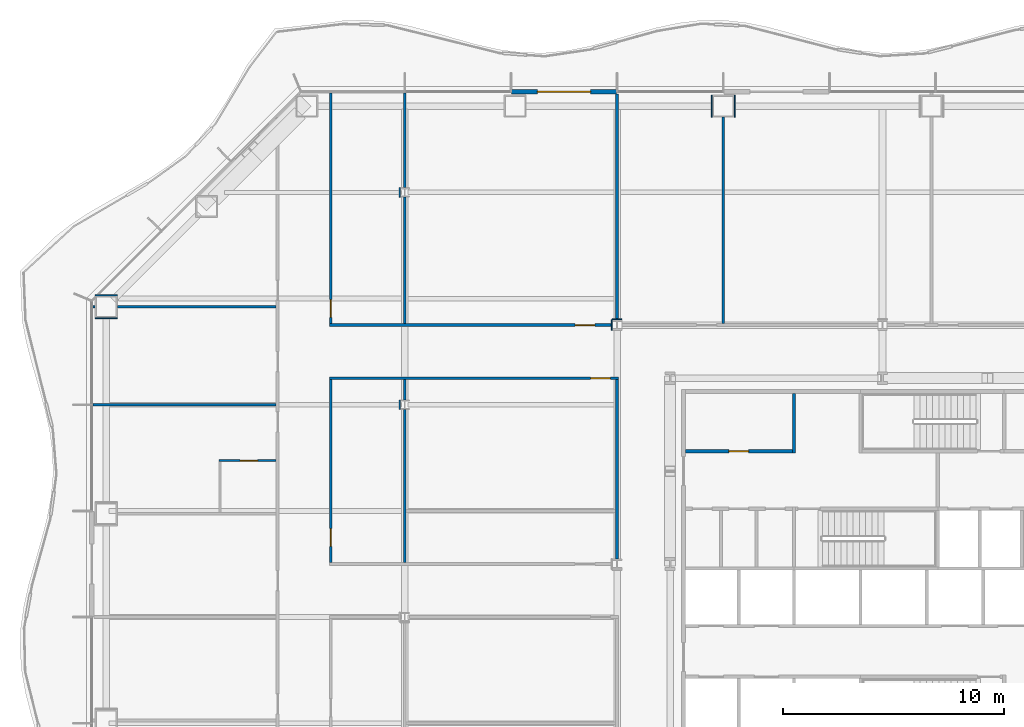
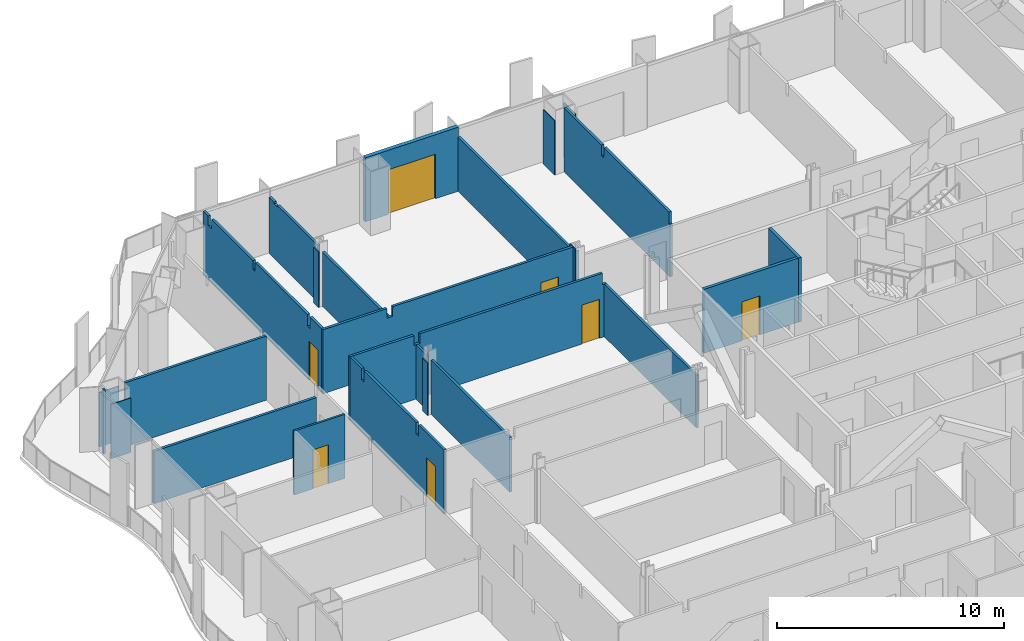
# One storey, part 12 of 21: 26 walls, 7 doors, 7 openings.
"""IFC4 building model written with IfcOpenShell, lengths in metres."""

from ifc_helpers import new_model, si_unit, direction, frame, frame_2d, origin, place, context, subcontext, project, spatial, polyline, rectangle, outline, extrude, material, layer, layer_set, type_object, element, fill, save


model = new_model("IFC4")

# Units and contexts
model_context = context("Model", 3, precision=1e-05, world=origin(), true_north=direction((0.0, 1.0)))
body_context = subcontext(model_context, "Body", "Model", "MODEL_VIEW")
ifc_project = project(units=[si_unit("LENGTHUNIT", "METRE"), si_unit("AREAUNIT", "SQUARE_METRE"), si_unit("VOLUMEUNIT", "CUBIC_METRE"), si_unit("PLANEANGLEUNIT", "RADIAN"), si_unit("MASSUNIT", "GRAM", prefix="KILO")], contexts=[model_context])

# Site, building, storey
site_placement = place(None, origin())
site = spatial("IfcSite", under=ifc_project, at=site_placement, CompositionType="ELEMENT")
building_placement = place(site_placement, origin())
building = spatial("IfcBuilding", under=site, at=building_placement, Name="Cairn Pilgrim Tower", CompositionType="ELEMENT")
storey_placement = place(building_placement, frame((0.0, 0.0, 47.39990234375)))
storey = spatial("IfcBuildingStorey", under=building, at=storey_placement, Name="L09", CompositionType="ELEMENT", Elevation=47.39990234375)

# Wall, opening, door
ifc_material_1 = material(Name="Bronze anodised aluminium insulated sandwich panel with mineral wool fill", Category="aluminium")
ifc_layer_1 = layer(ifc_material_1, 0.199951171875)
ifc_layer_set_1 = layer_set([ifc_layer_1], Name="BRONZE INFILL FRAME WALL 200")
wall_type_1 = type_object("IfcWallType", Name="BRONZE INFILL FRAME WALL 200", PredefinedType="NOTDEFINED", material=ifc_layer_set_1)
wall_1_placement = place(storey_placement, frame((-4.830078125, 23.75, 0.0), z_axis=(0.0, 0.0, 1.0), x_axis=(-1.0, 0.0, 0.0)))
wall_1 = element("IfcWall", 1, at=wall_1_placement, inside=storey, type_object=wall_type_1, Name="Bronze infill frame wall IW-N6", PredefinedType="NOTDEFINED", context=body_context, shape_type="SweptSolid", body=[
    extrude(rectangle(XDim=4.739990234375, YDim=0.199951171875, at=frame_2d((2.3701171875, 0.0))), origin(), (0.0, 0.0, 1.0), 3.4501953125),
])
opening_1_placement = place(wall_1_placement, frame((1.169921875, 0.0, 0.0)))
opening_1 = element("IfcOpeningElement", 2, at=opening_1_placement, cuts=wall_1, Name="Opening 0916B", PredefinedType="OPENING", context=body_context, shape_type="SweptSolid", body=[
    extrude(rectangle(XDim=2.39990234375, YDim=2.39990234375, at=frame_2d((1.199951171875, 1.199951171875))), frame((0.0, 0.10986328125, 0.0), z_axis=(0.0, -1.0, 0.0), x_axis=(1.0, 0.0, 0.0)), (0.0, 0.0, 1.0), 0.219970703125),
])
ifc_material_2 = material(Name="Bronze anodised aluminium frame with tinted low-E glass", Category="aluminium")
door_type_1 = type_object("IfcDoorType", Name="BALCONY SLIDING DOOR 2400x2400", OperationType="DOUBLE_DOOR_SLIDING", PredefinedType="DOOR", material=ifc_material_2)
door_1_placement = place(opening_1_placement, origin())
door_1 = element("IfcDoor", 3, at=door_1_placement, inside=storey, type_object=door_type_1, Name="Balcony sliding door 0916B", OperationType="SINGLE_SWING_LEFT", OverallHeight=2.39990234375, OverallWidth=2.39990234375, PredefinedType="DOOR", context=body_context, shape_type="SweptSolid", body=[
    extrude(rectangle(XDim=2.39990234375, YDim=2.39990234375, at=frame_2d((1.199951171875, 1.199951171875))), frame((0.0, 0.02490234375, 0.0), z_axis=(0.0, -1.0, 0.0), x_axis=(1.0, 0.0, 0.0)), (0.0, 0.0, 1.0), 0.050048828125),
])
fill(opening_1, door_1)

ifc_material_3 = material(Name="Concrete C32/40", Category="concrete")
ifc_layer_2 = layer(ifc_material_3, 0.14990234375)
ifc_layer_set_2 = layer_set([ifc_layer_2], Name="CORE PARTITION 150 EI 60")
wall_type_2 = type_object("IfcWallType", Name="CORE PARTITION 150 EI 60", PredefinedType="PARTITIONING", material=ifc_layer_set_2)
wall_2_placement = place(storey_placement, frame((-1.699951171875, 7.5, 0.0), z_axis=(0.0, 0.0, 1.0), x_axis=(1.0, 0.0, 0.0)))
wall_2 = element("IfcWall", 4, at=wall_2_placement, inside=storey, type_object=wall_type_2, Name="CW:L09:H09", PredefinedType="PARTITIONING", context=body_context, shape_type="SweptSolid", body=[
    extrude(rectangle(XDim=4.824951171875, YDim=0.14990234375, at=frame_2d((2.41259765625, 0.0))), origin(), (0.0, 0.0, 1.0), 3.4501953125),
])
opening_2_placement = place(wall_2_placement, frame((1.949951171875, 0.0, 0.0)))
opening_2 = element("IfcOpeningElement", 5, at=opening_2_placement, cuts=wall_2, Name="Opening RD-R4W1", PredefinedType="OPENING", context=body_context, shape_type="SweptSolid", body=[
    extrude(rectangle(XDim=0.89990234375, YDim=2.10009765625, at=frame_2d((0.449951171875, 1.050048828125))), frame((0.0, 0.0849609375, 0.0), z_axis=(0.0, -1.0, 0.0), x_axis=(1.0, 0.0, 0.0)), (0.0, 0.0, 1.0), 0.169921875),
])
ifc_material_4 = material(Name="Painted steel", Category="steel")
door_type_2 = type_object("IfcDoorType", Name="SERVICE ROOM DOOR 900x2100", OperationType="SINGLE_SWING_LEFT", PredefinedType="DOOR", material=ifc_material_4)
door_2_placement = place(opening_2_placement, origin())
door_2 = element("IfcDoor", 6, at=door_2_placement, inside=storey, type_object=door_type_2, Name="RD-R4W1", OperationType="SINGLE_SWING_LEFT", OverallHeight=2.10009765625, OverallWidth=0.89990234375, PredefinedType="DOOR", context=body_context, shape_type="SweptSolid", body=[
    extrude(rectangle(XDim=0.89990234375, YDim=2.10009765625, at=frame_2d((0.449951171875, 1.050048828125))), frame((0.0, 0.02490234375, 0.0), z_axis=(0.0, -1.0, 0.0), x_axis=(1.0, 0.0, 0.0)), (0.0, 0.0, 1.0), 0.050048828125),
])
fill(opening_2, door_2)

# Wall
wall_3_placement = place(storey_placement, frame((3.199951171875, 7.425048828125, 0.0), z_axis=(0.0, 0.0, 1.0), x_axis=(0.0, 1.0, 0.0)))
element("IfcWall", 7, at=wall_3_placement, inside=storey, type_object=wall_type_2, Name="CW:L09:V20", PredefinedType="PARTITIONING", context=body_context, shape_type="SweptSolid", body=[
    extrude(rectangle(XDim=2.675048828125, YDim=0.14990234375, at=frame_2d((1.33740234375, 0.0))), origin(), (0.0, 0.0, 1.0), 3.4501953125),
])

# Wall, opening, door
ifc_material_5 = material(Name="Gypsum partition")
ifc_layer_3 = layer(ifc_material_5, 0.10009765625)
ifc_layer_set_3 = layer_set([ifc_layer_3], Name="PARTITION 100 DRYWALL")
wall_type_3 = type_object("IfcWallType", Name="PARTITION 100 DRYWALL", PredefinedType="PARTITIONING", material=ifc_layer_set_3)
wall_4_placement = place(storey_placement, frame((-22.800048828125, 7.075927734375, 0.0), z_axis=(0.0, 0.0, 1.0), x_axis=(1.0, 0.0, 0.0)))
wall_4 = element("IfcWall", 8, at=wall_4_placement, inside=storey, type_object=wall_type_3, Name="PARTITION W068", PredefinedType="PARTITIONING", context=body_context, shape_type="SweptSolid", body=[
    extrude(rectangle(XDim=2.587646484375, YDim=0.10009765625, at=frame_2d((1.2939453125, 0.0))), origin(), (0.0, 0.0, 1.0), 3.4501953125),
])
opening_3_placement = place(wall_4_placement, frame((0.949951171875, 0.0, 0.0)))
opening_3 = element("IfcOpeningElement", 9, at=opening_3_placement, cuts=wall_4, Name="Opening 0912E", PredefinedType="OPENING", context=body_context, shape_type="SweptSolid", body=[
    extrude(rectangle(XDim=0.800048828125, YDim=2.10009765625, at=frame_2d((0.39990234375, 1.050048828125))), frame((0.0, 0.06005859375, 0.0), z_axis=(0.0, -1.0, 0.0), x_axis=(1.0, 0.0, 0.0)), (0.0, 0.0, 1.0), 0.1201171875),
])
ifc_material_6 = material(Name="Timber door leaf", Category="wood")
door_type_3 = type_object("IfcDoorType", Name="DOOR 800x2100", OperationType="NOTDEFINED", PredefinedType="DOOR", material=ifc_material_6)
door_3_placement = place(opening_3_placement, frame((0.800048828125, 0.0, 0.0), z_axis=(0.0, 0.0, 1.0), x_axis=(-1.0, 0.0, 0.0)))
door_3 = element("IfcDoor", 10, at=door_3_placement, inside=storey, type_object=door_type_3, Name="DOOR 0912E", OperationType="SINGLE_SWING_LEFT", OverallHeight=2.10009765625, OverallWidth=0.800048828125, PredefinedType="DOOR", context=body_context, shape_type="SweptSolid", body=[
    extrude(rectangle(XDim=0.800048828125, YDim=2.10009765625, at=frame_2d((0.39990234375, 1.050048828125))), frame((0.0, 0.02490234375, 0.0), z_axis=(0.0, -1.0, 0.0), x_axis=(1.0, 0.0, 0.0)), (0.0, 0.0, 1.0), 0.050048828125),
])
fill(opening_3, door_3)

ifc_layer_4 = layer(ifc_material_5, 0.125)
ifc_layer_set_4 = layer_set([ifc_layer_4], Name="PARTITION 125 DRYWALL EI 60")
wall_type_4 = type_object("IfcWallType", Name="PARTITION 125 DRYWALL EI 60", PredefinedType="PARTITIONING", material=ifc_layer_set_4)
wall_5_placement = place(storey_placement, frame((-17.75, 2.46240234375, 0.0), z_axis=(0.0, 0.0, 1.0), x_axis=(0.0, 1.0, 0.0)))
wall_5 = element("IfcWall", 11, at=wall_5_placement, inside=storey, type_object=wall_type_4, Name="PARTITION W060", PredefinedType="PARTITIONING", context=body_context, shape_type="SweptSolid", body=[
    extrude(outline(polyline([(0.0, 0.0), (8.275146484375, 0.0), (8.27490234375, 3.4501953125), (7.24755859375, 3.4501953125), (7.24560546875, 2.830078125), (7.027587890625, 2.830078125), (7.025390625, 3.4501953125), (2.447509765625, 3.4501953125), (2.445556640625, 2.830078125), (2.2275390625, 2.830078125), (2.2255859375, 3.4501953125), (0.0, 3.4501953125), (0.0, 0.0)])), frame((0.0, 0.0625, 0.0), z_axis=(0.0, -1.0, 0.0), x_axis=(1.0, 0.0, 0.0)), (0.0, 0.0, 1.0), 0.125),
])
opening_4_placement = place(wall_5_placement, frame((0.737548828125, 0.0, 0.0)))
opening_4 = element("IfcOpeningElement", 12, at=opening_4_placement, cuts=wall_5, Name="Opening 0933", PredefinedType="OPENING", context=body_context, shape_type="SweptSolid", body=[
    extrude(rectangle(XDim=0.800048828125, YDim=2.10009765625, at=frame_2d((0.39990234375, 1.050048828125))), frame((0.0, 0.072509765625, 0.0), z_axis=(0.0, -1.0, 0.0), x_axis=(1.0, 0.0, 0.0)), (0.0, 0.0, 1.0), 0.14501953125),
])
ifc_material_7 = material(Name="Steel-faced fire door leaf", Category="steel")
door_type_4 = type_object("IfcDoorType", Name="FIRE DOOR 800x2100 FD30S", OperationType="NOTDEFINED", PredefinedType="DOOR", material=ifc_material_7)
door_4_placement = place(opening_4_placement, frame((0.800048828125, 0.0, 0.0), z_axis=(0.0, 0.0, 1.0), x_axis=(-1.0, 0.0, 0.0)))
door_4 = element("IfcDoor", 13, at=door_4_placement, inside=storey, type_object=door_type_4, Name="DOOR 0933", OperationType="SINGLE_SWING_RIGHT", OverallHeight=2.10009765625, OverallWidth=0.800048828125, PredefinedType="DOOR", context=body_context, shape_type="SweptSolid", body=[
    extrude(rectangle(XDim=0.800048828125, YDim=2.10009765625, at=frame_2d((0.39990234375, 1.050048828125))), frame((0.0, 0.02490234375, 0.0), z_axis=(0.0, -1.0, 0.0), x_axis=(1.0, 0.0, 0.0)), (0.0, 0.0, 1.0), 0.050048828125),
])
fill(opening_4, door_4)

# Walls
wall_6_placement = place(storey_placement, frame((-14.39990234375, 2.46240234375, 0.0), z_axis=(0.0, 0.0, 1.0), x_axis=(0.0, 1.0, 0.0)))
element("IfcWall", 14, at=wall_6_placement, inside=storey, type_object=wall_type_4, Name="PARTITION W061", PredefinedType="PARTITIONING", context=body_context, shape_type="SweptSolid", body=[
    extrude(rectangle(XDim=6.925048828125, YDim=0.125, at=frame_2d((3.46240234375, 0.0))), origin(), (0.0, 0.0, 1.0), 2.93017578125),
])
wall_7_placement = place(storey_placement, frame((-4.800048828125, 2.636962890625, 0.0), z_axis=(0.0, 0.0, 1.0), x_axis=(0.0, 1.0, 0.0)))
element("IfcWall", 15, at=wall_7_placement, inside=storey, type_object=wall_type_4, Name="PARTITION W062", PredefinedType="PARTITIONING", context=body_context, shape_type="SweptSolid", body=[
    extrude(rectangle(XDim=8.1005859375, YDim=0.125, at=frame_2d((4.05029296875, 0.0))), origin(), (0.0, 0.0, 1.0), 2.830078125),
])
wall_8_placement = place(storey_placement, frame((-28.489990234375, 9.60009765625, 0.0), z_axis=(0.0, 0.0, 1.0), x_axis=(1.0, 0.0, 0.0)))
element("IfcWall", 16, at=wall_8_placement, inside=storey, type_object=wall_type_4, Name="PARTITION W071", PredefinedType="PARTITIONING", context=body_context, shape_type="SweptSolid", body=[
    extrude(rectangle(XDim=8.277587890625, YDim=0.125, at=frame_2d((4.138671875, 0.0))), origin(), (0.0, 0.0, 1.0), 2.830078125),
])
wall_9_placement = place(storey_placement, frame((-14.39990234375, 9.8125, 0.0), z_axis=(0.0, 0.0, 1.0), x_axis=(0.0, 1.0, 0.0)))
element("IfcWall", 17, at=wall_9_placement, inside=storey, type_object=wall_type_4, Name="PARTITION W073", PredefinedType="PARTITIONING", context=body_context, shape_type="SweptSolid", body=[
    extrude(rectangle(XDim=0.925048828125, YDim=0.125, at=frame_2d((0.46240234375, 0.0))), origin(), (0.0, 0.0, 1.0), 2.93017578125),
])

# Wall, opening, door
wall_10_placement = place(storey_placement, frame((-17.8125, 10.800048828125, 0.0), z_axis=(0.0, 0.0, 1.0), x_axis=(1.0, 0.0, 0.0)))
wall_10 = element("IfcWall", 18, at=wall_10_placement, inside=storey, type_object=wall_type_4, Name="PARTITION W074", PredefinedType="PARTITIONING", context=body_context, shape_type="SweptSolid", body=[
    extrude(outline(polyline([(0.0, 0.0), (13.074951171875, 0.0), (13.074951171875, 2.830078125), (12.862548828125, 2.830078125), (12.860595703125, 3.4501953125), (3.5625, 3.4501953125), (3.560546875, 2.93017578125), (3.262451171875, 2.93017578125), (3.260498046875, 3.4501953125), (0.0, 3.4501953125), (0.0, 0.0)])), frame((0.0, 0.0625, 0.0), z_axis=(0.0, -1.0, 0.0), x_axis=(1.0, 0.0, 0.0)), (0.0, 0.0, 1.0), 0.125),
])
opening_5_placement = place(wall_10_placement, frame((11.8125, 0.0, 0.0)))
opening_5 = element("IfcOpeningElement", 19, at=opening_5_placement, cuts=wall_10, Name="Opening 0931", PredefinedType="OPENING", context=body_context, shape_type="SweptSolid", body=[
    extrude(rectangle(XDim=0.89990234375, YDim=2.10009765625, at=frame_2d((0.449951171875, 1.050048828125))), frame((0.0, 0.072509765625, 0.0), z_axis=(0.0, -1.0, 0.0), x_axis=(1.0, 0.0, 0.0)), (0.0, 0.0, 1.0), 0.14501953125),
])
door_type_5 = type_object("IfcDoorType", Name="FIRE DOOR 900x2100 FD30S", OperationType="NOTDEFINED", PredefinedType="DOOR", material=ifc_material_7)
door_5_placement = place(opening_5_placement, frame((0.89990234375, 0.0, 0.0), z_axis=(0.0, 0.0, 1.0), x_axis=(-1.0, 0.0, 0.0)))
door_5 = element("IfcDoor", 20, at=door_5_placement, inside=storey, type_object=door_type_5, Name="DOOR 0931", OperationType="SINGLE_SWING_RIGHT", OverallHeight=2.10009765625, OverallWidth=0.89990234375, PredefinedType="DOOR", context=body_context, shape_type="SweptSolid", body=[
    extrude(rectangle(XDim=0.89990234375, YDim=2.10009765625, at=frame_2d((0.449951171875, 1.050048828125))), frame((0.0, 0.02490234375, 0.0), z_axis=(0.0, -1.0, 0.0), x_axis=(1.0, 0.0, 0.0)), (0.0, 0.0, 1.0), 0.050048828125),
])
fill(opening_5, door_5)

wall_11_placement = place(storey_placement, frame((-17.8125, 13.199951171875, 0.0), z_axis=(0.0, 0.0, 1.0), x_axis=(1.0, 0.0, 0.0)))
wall_11 = element("IfcWall", 21, at=wall_11_placement, inside=storey, type_object=wall_type_4, Name="PARTITION W075", PredefinedType="PARTITIONING", context=body_context, shape_type="SweptSolid", body=[
    extrude(outline(polyline([(0.0, 0.0), (12.800537109375, 0.0), (12.800537109375, 3.4501953125), (3.5625, 3.4501953125), (3.560546875, 2.93017578125), (3.262451171875, 2.93017578125), (3.260498046875, 3.4501953125), (0.0, 3.4501953125), (0.0, 0.0)])), frame((0.0, 0.0625, 0.0), z_axis=(0.0, -1.0, 0.0), x_axis=(1.0, 0.0, 0.0)), (0.0, 0.0, 1.0), 0.125),
])
opening_6_placement = place(wall_11_placement, frame((11.112548828125, 0.0, 0.0)))
opening_6 = element("IfcOpeningElement", 22, at=opening_6_placement, cuts=wall_11, Name="Opening 0916", PredefinedType="OPENING", context=body_context, shape_type="SweptSolid", body=[
    extrude(rectangle(XDim=0.89990234375, YDim=2.10009765625, at=frame_2d((0.449951171875, 1.050048828125))), frame((0.0, 0.072509765625, 0.0), z_axis=(0.0, -1.0, 0.0), x_axis=(1.0, 0.0, 0.0)), (0.0, 0.0, 1.0), 0.14501953125),
])
door_6_placement = place(opening_6_placement, origin())
door_6 = element("IfcDoor", 23, at=door_6_placement, inside=storey, type_object=door_type_5, Name="DOOR 0916", OperationType="SINGLE_SWING_LEFT", OverallHeight=2.10009765625, OverallWidth=0.89990234375, PredefinedType="DOOR", context=body_context, shape_type="SweptSolid", body=[
    extrude(rectangle(XDim=0.89990234375, YDim=2.10009765625, at=frame_2d((0.449951171875, 1.050048828125))), frame((0.0, 0.02490234375, 0.0), z_axis=(0.0, -1.0, 0.0), x_axis=(1.0, 0.0, 0.0)), (0.0, 0.0, 1.0), 0.050048828125),
])
fill(opening_6, door_6)

wall_12_placement = place(storey_placement, frame((-17.75, 13.262451171875, 0.0), z_axis=(0.0, 0.0, 1.0), x_axis=(0.0, 1.0, 0.0)))
wall_12 = element("IfcWall", 24, at=wall_12_placement, inside=storey, type_object=wall_type_4, Name="PARTITION W078", PredefinedType="PARTITIONING", context=body_context, shape_type="SweptSolid", body=[
    extrude(outline(polyline([(0.0, 0.0), (10.427490234375, 0.0), (10.427490234375, 3.4501953125), (9.987548828125, 3.4501953125), (9.985595703125, 2.93017578125), (9.6875, 2.93017578125), (9.685546875, 3.4501953125), (6.032470703125, 3.4501953125), (6.030517578125, 2.97998046875), (5.842529296875, 2.97998046875), (5.840576171875, 3.4501953125), (1.24755859375, 3.4501953125), (1.24560546875, 2.830078125), (1.027587890625, 2.830078125), (1.025390625, 3.4501953125), (0.0, 3.4501953125), (0.0, 0.0)])), frame((0.0, 0.0625, 0.0), z_axis=(0.0, -1.0, 0.0), x_axis=(1.0, 0.0, 0.0)), (0.0, 0.0, 1.0), 0.125),
])
opening_7_placement = place(wall_12_placement, frame((0.28759765625, 0.0, 0.0)))
opening_7 = element("IfcOpeningElement", 25, at=opening_7_placement, cuts=wall_12, Name="Opening 0915", PredefinedType="OPENING", context=body_context, shape_type="SweptSolid", body=[
    extrude(rectangle(XDim=0.800048828125, YDim=2.10009765625, at=frame_2d((0.39990234375, 1.050048828125))), frame((0.0, 0.072509765625, 0.0), z_axis=(0.0, -1.0, 0.0), x_axis=(1.0, 0.0, 0.0)), (0.0, 0.0, 1.0), 0.14501953125),
])
door_7_placement = place(opening_7_placement, frame((0.800048828125, 0.0, 0.0), z_axis=(0.0, 0.0, 1.0), x_axis=(-1.0, 0.0, 0.0)))
door_7 = element("IfcDoor", 26, at=door_7_placement, inside=storey, type_object=door_type_4, Name="DOOR 0915", OperationType="SINGLE_SWING_RIGHT", OverallHeight=2.10009765625, OverallWidth=0.800048828125, PredefinedType="DOOR", context=body_context, shape_type="SweptSolid", body=[
    extrude(rectangle(XDim=0.800048828125, YDim=2.10009765625, at=frame_2d((0.39990234375, 1.050048828125))), frame((0.0, 0.02490234375, 0.0), z_axis=(0.0, -1.0, 0.0), x_axis=(1.0, 0.0, 0.0)), (0.0, 0.0, 1.0), 0.050048828125),
])
fill(opening_7, door_7)

# Walls
wall_13_placement = place(storey_placement, frame((-14.39990234375, 13.262451171875, 0.0), z_axis=(0.0, 0.0, 1.0), x_axis=(0.0, 1.0, 0.0)))
element("IfcWall", 27, at=wall_13_placement, inside=storey, type_object=wall_type_4, Name="PARTITION W079", PredefinedType="PARTITIONING", context=body_context, shape_type="SweptSolid", body=[
    extrude(rectangle(XDim=5.72509765625, YDim=0.125, at=frame_2d((2.862548828125, 0.0))), origin(), (0.0, 0.0, 1.0), 2.93017578125),
])
wall_14_placement = place(storey_placement, frame((0.0, 13.262451171875, 0.0), z_axis=(0.0, 0.0, 1.0), x_axis=(0.0, 1.0, 0.0)))
element("IfcWall", 28, at=wall_14_placement, inside=storey, type_object=wall_type_4, Name="PARTITION W080", PredefinedType="PARTITIONING", context=body_context, shape_type="SweptSolid", body=[
    extrude(outline(polyline([(0.0, 0.0), (9.337646484375, 0.0), (9.33740234375, 3.4501953125), (6.04248046875, 3.4501953125), (6.04052734375, 2.880126953125), (5.83251953125, 2.880126953125), (5.83056640625, 3.4501953125), (0.08740234375, 3.4501953125), (0.08544921875, 2.830078125), (0.0, 2.830078125), (0.0, 0.0)])), frame((0.0, 0.0625, 0.0), z_axis=(0.0, -1.0, 0.0), x_axis=(1.0, 0.0, 0.0)), (0.0, 0.0, 1.0), 0.125),
])
wall_15_placement = place(storey_placement, frame((-4.800048828125, 13.43701171875, 0.0), z_axis=(0.0, 0.0, 1.0), x_axis=(0.0, 1.0, 0.0)))
element("IfcWall", 29, at=wall_15_placement, inside=storey, type_object=wall_type_4, Name="PARTITION W083", PredefinedType="PARTITIONING", context=body_context, shape_type="SweptSolid", body=[
    extrude(rectangle(XDim=10.212890625, YDim=0.125, at=frame_2d((5.1064453125, 0.0))), origin(), (0.0, 0.0, 1.0), 2.93017578125),
])
wall_16_placement = place(storey_placement, frame((-28.5029296875, 14.027099609375, 0.0), z_axis=(0.0, 0.0, 1.0), x_axis=(1.0, 0.0, 0.0)))
element("IfcWall", 30, at=wall_16_placement, inside=storey, type_object=wall_type_4, Name="PARTITION W085", PredefinedType="PARTITIONING", context=body_context, shape_type="SweptSolid", body=[
    extrude(rectangle(XDim=0.10302734375, YDim=0.125, at=frame_2d((0.051513671875, 0.0))), origin(), (0.0, 0.0, 1.0), 3.4501953125),
])
wall_17_placement = place(storey_placement, frame((-27.39990234375, 14.027099609375, 0.0), z_axis=(0.0, 0.0, 1.0), x_axis=(1.0, 0.0, 0.0)))
element("IfcWall", 31, at=wall_17_placement, inside=storey, type_object=wall_type_4, Name="PARTITION W086", PredefinedType="PARTITIONING", context=body_context, shape_type="SweptSolid", body=[
    extrude(rectangle(XDim=7.1875, YDim=0.125, at=frame_2d((3.59375, 0.0))), origin(), (0.0, 0.0, 1.0), 3.4501953125),
])
wall_18_placement = place(storey_placement, frame((-14.39990234375, 19.41259765625, 0.0), z_axis=(0.0, 0.0, 1.0), x_axis=(0.0, 1.0, 0.0)))
element("IfcWall", 32, at=wall_18_placement, inside=storey, type_object=wall_type_4, Name="PARTITION W087", PredefinedType="PARTITIONING", context=body_context, shape_type="SweptSolid", body=[
    extrude(outline(polyline([(0.0, 0.0), (4.27734375, 0.0), (4.277587890625, 3.030029296875), (3.83740234375, 3.030029296875), (3.83544921875, 2.93017578125), (3.53759765625, 2.93017578125), (3.535400390625, 3.030029296875), (0.0, 3.030029296875), (0.0, 0.0)])), frame((0.0, 0.0625, 0.0), z_axis=(0.0, -1.0, 0.0), x_axis=(1.0, 0.0, 0.0)), (0.0, 0.0, 1.0), 0.125),
])
ifc_layer_5 = layer(ifc_material_5, 0.050048828125)
ifc_layer_set_5 = layer_set([ifc_layer_5], Name="PARTITION 50 DRYWALL EI 60")
wall_type_5 = type_object("IfcWallType", Name="PARTITION 50 DRYWALL EI 60", PredefinedType="PARTITIONING", material=ifc_layer_set_5)
wall_19_placement = place(storey_placement, frame((-14.62939453125, 9.387451171875, 0.0), z_axis=(0.0, 0.0, 1.0), x_axis=(0.0, 1.0, 0.0)))
element("IfcWall", 33, at=wall_19_placement, inside=storey, type_object=wall_type_5, Name="COLUMN CASING WC25", PredefinedType="PARTITIONING", context=body_context, shape_type="SweptSolid", body=[
    extrude(rectangle(XDim=0.425048828125, YDim=0.050048828125, at=frame_2d((0.21240234375, 0.0))), origin(), (0.0, 0.0, 1.0), 2.830078125),
])
wall_20_placement = place(storey_placement, frame((-5.011962890625, 13.4619140625, 0.0), z_axis=(0.0, 0.0, 1.0), x_axis=(1.0, 0.0, 0.0)))
element("IfcWall", 34, at=wall_20_placement, inside=storey, type_object=wall_type_5, Name="COLUMN CASING WC31", PredefinedType="PARTITIONING", context=body_context, shape_type="SweptSolid", body=[
    extrude(rectangle(XDim=0.424072265625, YDim=0.050048828125, at=frame_2d((0.2119140625, 0.0))), origin(), (0.0, 0.0, 1.0), 2.93017578125),
])
wall_21_placement = place(storey_placement, frame((-14.62939453125, 18.987548828125, 0.0), z_axis=(0.0, 0.0, 1.0), x_axis=(0.0, 1.0, 0.0)))
element("IfcWall", 35, at=wall_21_placement, inside=storey, type_object=wall_type_5, Name="COLUMN CASING WC35", PredefinedType="PARTITIONING", context=body_context, shape_type="SweptSolid", body=[
    extrude(rectangle(XDim=0.425048828125, YDim=0.050048828125, at=frame_2d((0.21240234375, 0.0))), origin(), (0.0, 0.0, 1.0), 2.97998046875),
])
wall_22_placement = place(storey_placement, frame((-5.037109375, 12.962890625, 0.0), z_axis=(0.0, 0.0, 1.0), x_axis=(0.0, 1.0, 0.0)))
element("IfcWall", 36, at=wall_22_placement, inside=storey, type_object=wall_type_5, Name="COLUMN CASING WC36", PredefinedType="PARTITIONING", context=body_context, shape_type="SweptSolid", body=[
    extrude(rectangle(XDim=0.47412109375, YDim=0.050048828125, at=frame_2d((0.237060546875, 0.0))), origin(), (0.0, 0.0, 1.0), 3.4501953125),
])
for number, where, z_axis, x_axis, name in (
    (37, (-0.52490234375, 22.60009765625, 0.0), (0.0, 0.0, 1.0), (0.0, 1.0, 0.0), "COLUMN CASING WC37"),
    (38, (0.52490234375, 22.60009765625, 0.0), (0.0, 0.0, 1.0), (0.0, 1.0, 0.0), "COLUMN CASING WC38"),
    (39, (-28.39990234375, 14.55224609375, 0.0), (0.0, 0.0, 1.0), (1.0, 0.0, 0.0), "COLUMN CASING WC41"),
    (40, (-28.39990234375, 13.502197265625, 0.0), (0.0, 0.0, 1.0), (1.0, 0.0, 0.0), "COLUMN CASING WC42"),
):
    element("IfcWall", number, at=place(storey_placement, frame(where, z_axis=z_axis, x_axis=x_axis)), inside=storey, type_object=wall_type_5, Name=name, PredefinedType="PARTITIONING", context=body_context, shape_type="SweptSolid", body=[
        extrude(rectangle(XDim=1.0, YDim=0.050048828125, at=frame_2d((0.5, 0.0))), origin(), (0.0, 0.0, 1.0), 2.93017578125),
    ])

save(model, "model.ifc")
